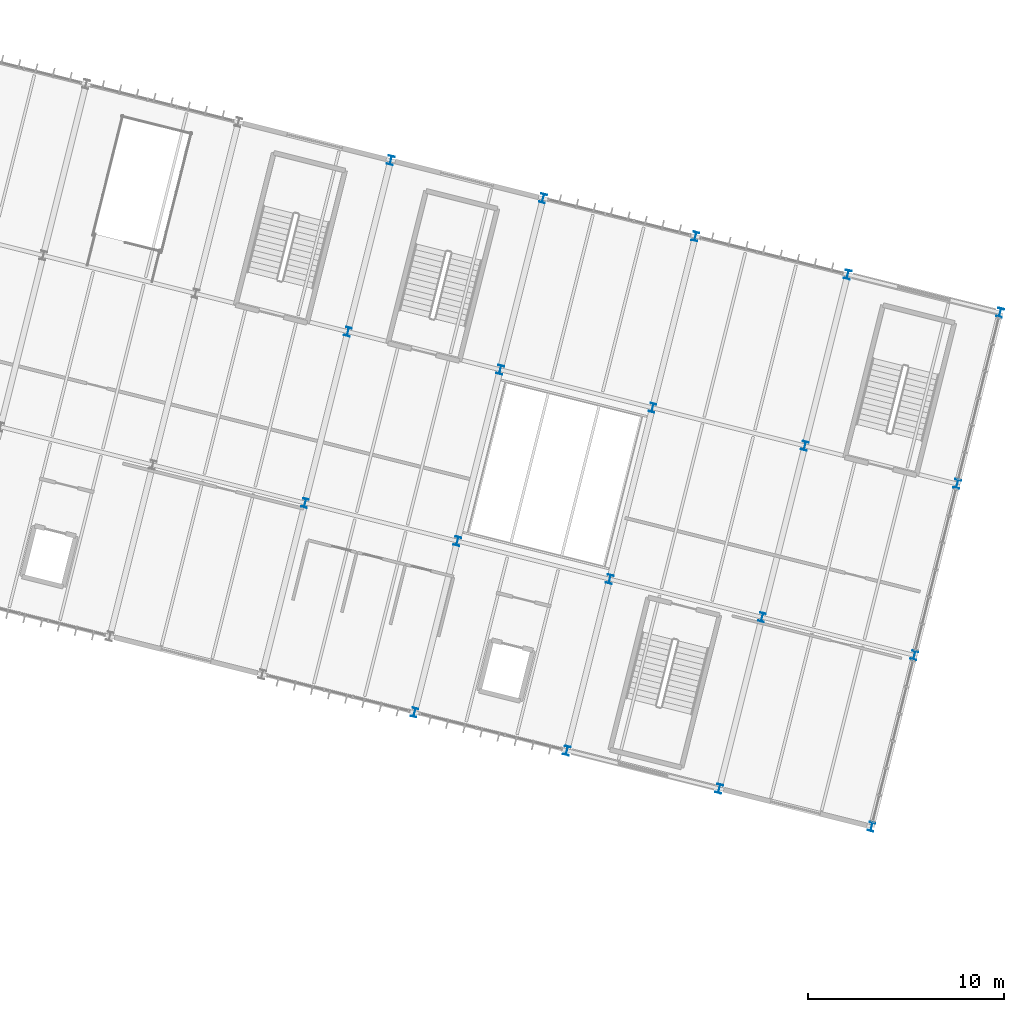
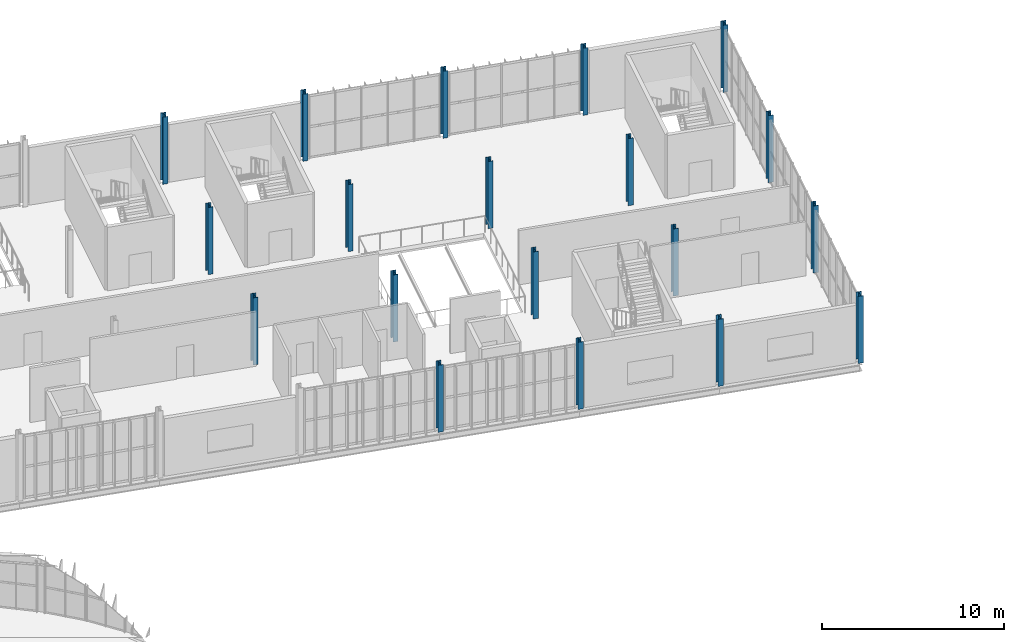
# One storey, part 11 of 152: 19 columns.
"""IFC4 building model written with IfcOpenShell, lengths in metres."""

import ifcopenshell
import ifcopenshell.guid

model = None  # the IFC model being written
_history = None  # IfcOwnerHistory: only IFC2X3 demands one
_inside = {}  # id of a spatial element -> (the spatial element, [elements in it])
_under = {}  # id of a project, library or spatial element -> (it, [spatial elements below it])
_declared = {}  # id of a project -> (the project, [libraries it declares])
_typed = {}  # id of a type object -> (the type object, [elements of that type])
_made_of = {}  # id of a material, layer set ... -> (it, [elements and type objects made of it])


def new_model(schema):
    """Start an empty IFC model of exactly this schema.

    Asked for "IFC4X3", IfcOpenShell would pick the latest addendum, in which some entities
    have other attributes; the version numbers below select the first issue.
    IFC2X3 requires an IfcOwnerHistory on every rooted entity: one is made here for all.
    """
    global model, _history
    if schema == "IFC4X3":
        model = ifcopenshell.file(schema_version=(4, 3, 0, 0))
    else:
        model = ifcopenshell.file(schema=schema)
    _inside.clear()
    _under.clear()
    _declared.clear()
    _typed.clear()
    _made_of.clear()
    _history = None
    if model.schema == "IFC2X3":
        org = make("IfcOrganization", Name="unknown")
        user = make(
            "IfcPersonAndOrganization",
            ThePerson=make("IfcPerson", FamilyName="unknown"),
            TheOrganization=org,
        )
        app = make(
            "IfcApplication",
            ApplicationDeveloper=org,
            Version="unknown",
            ApplicationFullName="unknown",
            ApplicationIdentifier="unknown",
        )
        _history = make(
            "IfcOwnerHistory",
            OwningUser=user,
            OwningApplication=app,
            ChangeAction="ADDED",
            CreationDate=0,
        )
    return model


def make(cls, **values):
    """One entity of the class cls with the attributes given. An attribute that is None is left unset."""
    return model.create_entity(
        cls, **{name: value for name, value in values.items() if value is not None}
    )


def rooted(cls, **values):
    """An entity with a GlobalId (a new one), such as an element, a storey or a relation."""
    return make(cls, GlobalId=ifcopenshell.guid.new(), OwnerHistory=_history, **values)


def si_unit(unit_type, name, prefix=None):
    """IfcSIUnit, for example si_unit("LENGTHUNIT", "METRE", prefix="MILLI")."""
    return make("IfcSIUnit", UnitType=unit_type, Prefix=prefix, Name=name)


def derived_unit(unit_type, elements):
    """IfcDerivedUnit: a product of units, each with its exponent."""
    return make(
        "IfcDerivedUnit",
        Elements=[
            make("IfcDerivedUnitElement", Unit=unit, Exponent=power)
            for unit, power in elements
        ],
        UnitType=unit_type,
    )


def assignment(units):
    """IfcUnitAssignment: the units of a project."""
    return None if units is None else make("IfcUnitAssignment", Units=units)


def point(xyz):
    """IfcCartesianPoint."""
    return None if xyz is None else make("IfcCartesianPoint", Coordinates=xyz)


def direction(xyz):
    """IfcDirection."""
    return None if xyz is None else make("IfcDirection", DirectionRatios=xyz)


def frame(location, z_axis=None, x_axis=None):
    """IfcAxis2Placement3D, a coordinate frame: its origin and axes. An axis left out is left unset."""
    return make(
        "IfcAxis2Placement3D",
        Location=point(location),
        Axis=direction(z_axis),
        RefDirection=direction(x_axis),
    )


def frame_2d(location, x_axis=None):
    """IfcAxis2Placement2D, a coordinate frame in the plane: its origin and x axis."""
    return make(
        "IfcAxis2Placement2D", Location=point(location), RefDirection=direction(x_axis)
    )


def origin():
    """The frame at (0, 0, 0) with its axes left unset."""
    return frame((0.0, 0.0, 0.0))


def origin_2d():
    """The frame at (0, 0) in the plane with its x axis left unset."""
    return frame_2d((0.0, 0.0))


def place(relative_to, where):
    """IfcLocalPlacement: puts the frame where relative to a parent placement (None: the world)."""
    return make(
        "IfcLocalPlacement", PlacementRelTo=relative_to, RelativePlacement=where
    )


def context(
    kind, dimensions, precision=None, world=None, true_north=None, identifier=None
):
    """IfcGeometricRepresentationContext, for example the 3D "Model" context."""
    return make(
        "IfcGeometricRepresentationContext",
        ContextIdentifier=identifier,
        ContextType=kind,
        CoordinateSpaceDimension=dimensions,
        Precision=precision,
        WorldCoordinateSystem=world,
        TrueNorth=true_north,
    )


def subcontext(parent, identifier, kind, view, scale=None):
    """IfcGeometricRepresentationSubContext, for example "Body" below "Model"."""
    return make(
        "IfcGeometricRepresentationSubContext",
        ContextIdentifier=identifier,
        ContextType=kind,
        ParentContext=parent,
        TargetScale=scale,
        TargetView=view,
    )


def project(units=None, contexts=None):
    """IfcProject with its units and contexts."""
    return rooted(
        "IfcProject",
        Name="project",
        RepresentationContexts=contexts,
        UnitsInContext=assignment(units),
    )


def spatial(cls, under=None, at=None, **own):
    """A site, building, storey or space (cls), placed at a placement, below another one or the project."""
    s = rooted(cls, ObjectPlacement=at, **own)
    if under is not None:
        _under.setdefault(under.id(), (under, []))[1].append(s)
    return s


def profile(cls, at=None, kind="AREA", **sizes):
    """A parametric profile (cls). Its sizes go by their IFC names, for example OverallWidth=200.0."""
    return make(cls, ProfileType=kind, Position=at, **sizes)


def i_section(**sizes):
    """IfcIShapeProfileDef."""
    return profile("IfcIShapeProfileDef", **sizes)


def extrude(swept, where, along, depth):
    """IfcExtrudedAreaSolid: the profile swept, set in the frame where, extruded along a direction by depth."""
    return make(
        "IfcExtrudedAreaSolid",
        SweptArea=swept,
        Position=where,
        ExtrudedDirection=direction(along),
        Depth=depth,
    )


def shape(context_of_items, identifier, shape_type, items):
    """IfcShapeRepresentation: the items that make up one representation, for example the "Body"."""
    return make(
        "IfcShapeRepresentation",
        ContextOfItems=context_of_items,
        RepresentationIdentifier=identifier,
        RepresentationType=shape_type,
        Items=items,
    )


def material(Name=None, Category=None):
    """IfcMaterial."""
    return make("IfcMaterial", Name=Name, Category=Category)


def material_profile(
    of_material, cross_section, Name=None, Category=None, Priority=None
):
    """IfcMaterialProfile: a cross section and its material."""
    return make(
        "IfcMaterialProfile",
        Name=Name,
        Material=of_material,
        Profile=cross_section,
        Priority=Priority,
        Category=Category,
    )


def profile_set(profiles, Name=None, composite=None):
    """IfcMaterialProfileSet."""
    return make(
        "IfcMaterialProfileSet",
        Name=Name,
        MaterialProfiles=profiles,
        CompositeProfile=composite,
    )


def made_of(thing, what):
    """Note that an element or type object is made of a material, layer set ...; save() writes the relation."""
    if what is not None:
        _made_of.setdefault(what.id(), (what, []))[1].append(thing)
    return thing


def type_object(cls, material=None, **own):
    """A type object (cls), such as IfcWallType, which elements share."""
    return made_of(rooted(cls, **own), material)


def element(
    cls,
    number,
    at=None,
    inside=None,
    cuts=None,
    type_object=None,
    material=None,
    context=None,
    identifier="Body",
    shape_type=None,
    held_by="IfcProductDefinitionShape",
    body=None,
    shapes=None,
    **own,
):
    """One element of the class cls, such as IfcWall. Its Tag is "e" and its number.

    at: its placement. inside: the storey or other place that contains it. cuts: it is an
    opening in that element (IfcRelVoidsElement). A single representation is given by context,
    identifier, shape_type and body (its items); several are given by shapes. held_by: the class
    of the entity that holds the representations. save() writes the other relations.
    """
    e = rooted(cls, Tag="e%d" % number, ObjectPlacement=at, **own)
    if body is not None:
        shapes = [shape(context, identifier, shape_type, body)]
    if shapes is not None:
        e.Representation = make(held_by, Representations=shapes)
    if inside is not None:
        _inside.setdefault(inside.id(), (inside, []))[1].append(e)
    if cuts is not None:
        rooted(
            "IfcRelVoidsElement", RelatingBuildingElement=cuts, RelatedOpeningElement=e
        )
    if type_object is not None:
        _typed.setdefault(type_object.id(), (type_object, []))[1].append(e)
    return made_of(e, material)


def aggregate(whole, parts):
    """IfcRelAggregates: a whole, such as a stair, and the parts it consists of."""
    return rooted("IfcRelAggregates", RelatingObject=whole, RelatedObjects=parts)


def save(model, path):
    """Write the relations noted so far, then the file.

    IfcRelAggregates (storeys below a building ...), IfcRelContainedInSpatialStructure (elements
    in a storey), IfcRelDefinesByType, IfcRelAssociatesMaterial and IfcRelDeclares: one each for
    every whole, place, type object, material and project.
    """
    for whole, parts in _under.values():
        aggregate(whole, parts)
    for where, things in _inside.values():
        rooted(
            "IfcRelContainedInSpatialStructure",
            RelatedElements=things,
            RelatingStructure=where,
        )
    for kind, things in _typed.values():
        rooted("IfcRelDefinesByType", RelatedObjects=things, RelatingType=kind)
    for what, things in _made_of.values():
        rooted("IfcRelAssociatesMaterial", RelatedObjects=things, RelatingMaterial=what)
    for by, libraries in _declared.values():
        rooted("IfcRelDeclares", RelatingContext=by, RelatedDefinitions=libraries)
    model.write(path)


model = new_model("IFC4")

# Units and contexts
model_context = context("Model", 3, precision=1e-05, world=origin(), true_north=direction((0.0, 1.0)))
body_context = subcontext(model_context, "Body", "Model", "MODEL_VIEW")
ifc_project = project(units=[si_unit("LENGTHUNIT", "METRE"), si_unit("AREAUNIT", "SQUARE_METRE"), si_unit("VOLUMEUNIT", "CUBIC_METRE"), si_unit("PLANEANGLEUNIT", "RADIAN"), si_unit("MASSUNIT", "GRAM", prefix="KILO"), si_unit("THERMODYNAMICTEMPERATUREUNIT", "KELVIN"), si_unit("TIMEUNIT", "SECOND"), derived_unit("THERMALTRANSMITTANCEUNIT", [(si_unit("MASSUNIT", "GRAM", prefix="KILO"), 1), (si_unit("THERMODYNAMICTEMPERATUREUNIT", "KELVIN"), -1), (si_unit("TIMEUNIT", "SECOND"), -3)])], contexts=[model_context])

# Site, building, storey
site_placement = place(None, origin())
site = spatial("IfcSite", under=ifc_project, at=site_placement, CompositionType="ELEMENT")
building_placement = place(site_placement, origin())
building = spatial("IfcBuilding", under=site, at=building_placement, Name="Cambertide Market Hall", CompositionType="ELEMENT")
storey_placement = place(building_placement, frame((0.0, 0.0, 5.39990234375)))
storey = spatial("IfcBuildingStorey", under=building, at=storey_placement, Name="L02", CompositionType="ELEMENT", Elevation=5.39990234375)

# Columns
ifc_material_1 = material(Name="Steel S355", Category="steel")
ifc_material_profile_1 = material_profile(ifc_material_1, i_section(OverallWidth=0.300048828125, OverallDepth=0.449951171875, WebThickness=0.013916015625, FlangeThickness=0.02587890625, FilletRadius=0.027099609375, at=origin_2d()), Name="HEB 450")
ifc_profile_set_1 = profile_set([ifc_material_profile_1], Name="Steel S355")
column_type_1 = type_object("IfcColumnType", Name="Exterior Steel Column HEB 450", PredefinedType="COLUMN", material=ifc_profile_set_1)
for number, where, z_axis, x_axis, name in (
    (1, (145.593017578125, 118.4326171875, 0.0), (0.0, 0.0, 1.0), (0.970142500145, -0.242535625038, 0.0), "Level 2 Column COL-V4-5-4-L02"),
    (2, (146.8056640625, 90.298583984375, 0.0), (0.0, 0.0, 1.0), (0.970142500145, -0.242535625038, 0.0), "Level 2 Column COL-V4-6-1-L02"),
    (3, (153.354248046875, 116.492431640625, 0.0), (0.0, 0.0, 1.0), (0.970142500145, -0.242535625038, 0.0), "Level 2 Column COL-V4-6-4-L02"),
    (4, (154.56689453125, 88.3583984375, 0.0), (0.0, 0.0, 1.0), (0.970142500145, -0.242535625038, 0.0), "Level 2 Column COL-V4-7-1-L02"),
    (5, (161.115234375, 114.55224609375, 0.0), (0.0, 0.0, 1.0), (0.970142500145, -0.242535625038, 0.0), "Level 2 Column COL-V4-7-4-L02"),
    (6, (162.327880859375, 86.41796875, 0.0), (0.0, 0.0, 1.0), (0.970142500145, -0.242535625038, 0.0), "Level 2 Column COL-V4-8-1-L02"),
    (7, (168.87646484375, 112.61181640625, 0.0), (0.0, 0.0, 1.0), (0.970142500145, -0.242535625038, 0.0), "Level 2 Column COL-V4-8-4-L02"),
    (8, (170.089111328125, 84.477783203125, 0.0), (0.0, 0.0, 1.0), (0.970142500145, -0.242535625038, 0.0), "Level 2 Column COL-V4-9-1-L02"),
    (9, (172.27197265625, 93.208984375, 0.0), (0.0, 0.0, 1.0), (0.970142500145, -0.242535625038, 0.0), "Level 2 Column COL-V4-9-2-L02"),
    (10, (174.454833984375, 101.940185546875, 0.0), (0.0, 0.0, 1.0), (0.970142500145, -0.242535625038, 0.0), "Level 2 Column COL-V4-9-3-L02"),
    (11, (176.6376953125, 110.671630859375, 0.0), (0.0, 0.0, 1.0), (0.970142500145, -0.242535625038, 0.0), "Level 2 Column COL-V4-9-4-L02"),
):
    element("IfcColumn", number, at=place(storey_placement, frame(where, z_axis=z_axis, x_axis=x_axis)), inside=storey, type_object=column_type_1, Name=name, PredefinedType="COLUMN", context=body_context, shape_type="SweptSolid", body=[
        extrude(i_section(OverallWidth=0.300048828125, OverallDepth=0.449951171875, WebThickness=0.013916015625, FlangeThickness=0.02587890625, FilletRadius=0.027099609375, at=origin_2d()), origin(), (0.0, 0.0, 1.0), 4.5),
    ])
ifc_material_2 = material(Name="Steel S355", Category="steel")
ifc_material_profile_2 = material_profile(ifc_material_2, i_section(OverallWidth=0.300048828125, OverallDepth=0.449951171875, WebThickness=0.013916015625, FlangeThickness=0.02587890625, FilletRadius=0.027099609375, at=origin_2d()), Name="HEB 450")
ifc_profile_set_2 = profile_set([ifc_material_profile_2], Name="Steel S355")
column_type_2 = type_object("IfcColumnType", Name="Steel Column HEB 450", PredefinedType="COLUMN", material=ifc_profile_set_2)
for number, where, z_axis, x_axis, name in (
    (12, (141.227294921875, 100.97021484375, 0.0), (0.0, 0.0, 1.0), (0.970142500145, -0.242535625038, 0.0), "Level 2 Column COL-V4-5-2-L02"),
    (13, (143.41015625, 109.701416015625, 0.0), (0.0, 0.0, 1.0), (0.970142500145, -0.242535625038, 0.0), "Level 2 Column COL-V4-5-3-L02"),
    (14, (148.988525390625, 99.02978515625, 0.0), (0.0, 0.0, 1.0), (0.970142500145, -0.242535625038, 0.0), "Level 2 Column COL-V4-6-2-L02"),
    (15, (151.17138671875, 107.76123046875, 0.0), (0.0, 0.0, 1.0), (0.970142500145, -0.242535625038, 0.0), "Level 2 Column COL-V4-6-3-L02"),
    (16, (156.749755859375, 97.089599609375, 0.0), (0.0, 0.0, 1.0), (0.970142500145, -0.242535625038, 0.0), "Level 2 Column COL-V4-7-2-L02"),
    (17, (158.932373046875, 105.82080078125, 0.0), (0.0, 0.0, 1.0), (0.970142500145, -0.242535625038, 0.0), "Level 2 Column COL-V4-7-3-L02"),
    (18, (164.5107421875, 95.149169921875, 0.0), (0.0, 0.0, 1.0), (0.970142500145, -0.242535625038, 0.0), "Level 2 Column COL-V4-8-2-L02"),
    (19, (166.693603515625, 103.880615234375, 0.0), (0.0, 0.0, 1.0), (0.970142500145, -0.242535625038, 0.0), "Level 2 Column COL-V4-8-3-L02"),
):
    element("IfcColumn", number, at=place(storey_placement, frame(where, z_axis=z_axis, x_axis=x_axis)), inside=storey, type_object=column_type_2, Name=name, PredefinedType="COLUMN", context=body_context, shape_type="SweptSolid", body=[
        extrude(i_section(OverallWidth=0.300048828125, OverallDepth=0.449951171875, WebThickness=0.013916015625, FlangeThickness=0.02587890625, FilletRadius=0.027099609375, at=origin_2d()), origin(), (0.0, 0.0, 1.0), 4.5),
    ])

save(model, "model.ifc")
